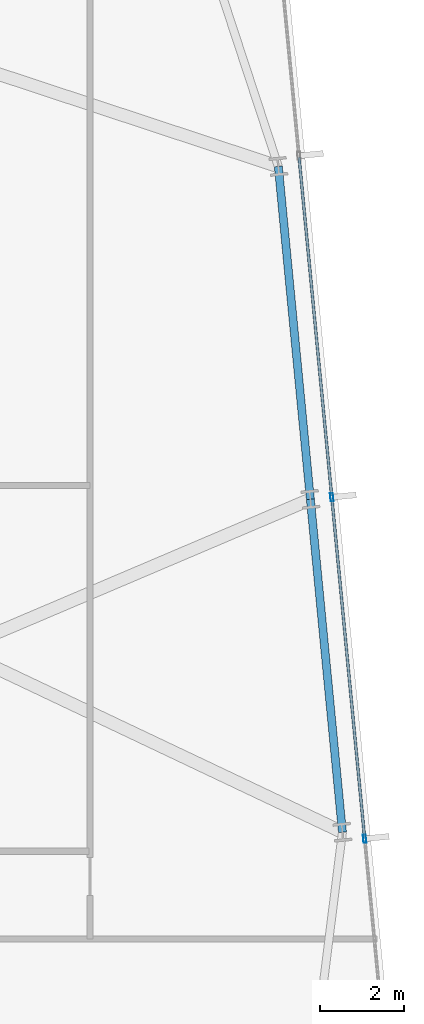
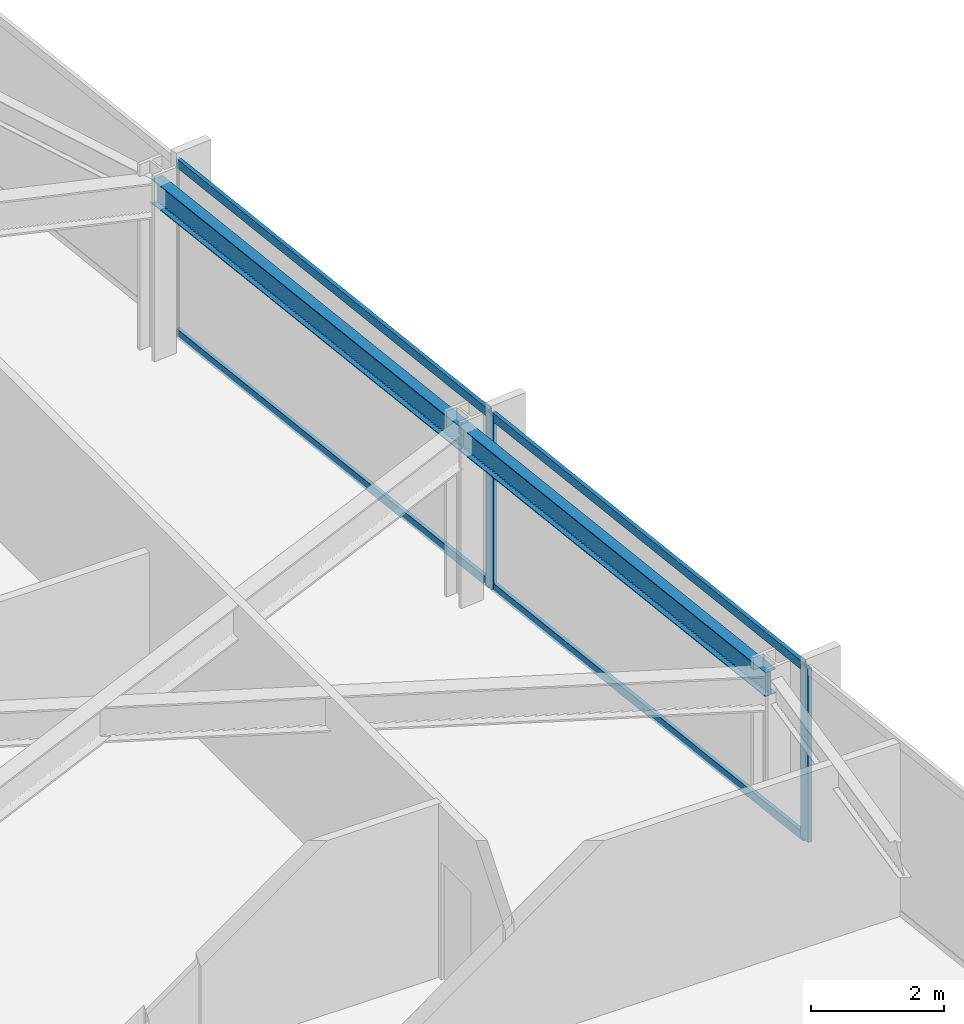
# One storey, part 16 of 32: 6 members, 2 beams, 1 element without a shape of its own.
"""IFC4 building model written with IfcOpenShell, lengths in metres."""

from ifc_helpers import new_model, si_unit, direction, frame, origin, origin_2d, place, context, subcontext, project, spatial, hollow_rectangle, i_section, extrude, material, material_profile, profile_set, type_object, element, aggregate, save


model = new_model("IFC4")

# Units and contexts
model_context = context("Model", 3, precision=1e-05, world=origin(), true_north=direction((0.0, 1.0)))
body_context = subcontext(model_context, "Body", "Model", "MODEL_VIEW")
ifc_project = project(units=[si_unit("LENGTHUNIT", "METRE"), si_unit("AREAUNIT", "SQUARE_METRE"), si_unit("VOLUMEUNIT", "CUBIC_METRE"), si_unit("PLANEANGLEUNIT", "RADIAN"), si_unit("MASSUNIT", "GRAM", prefix="KILO")], contexts=[model_context])

# Site, building, storey
site_placement = place(None, origin())
site = spatial("IfcSite", under=ifc_project, at=site_placement, CompositionType="ELEMENT")
building_placement = place(site_placement, origin())
building = spatial("IfcBuilding", under=site, at=building_placement, Name="Yelkora Congress Tower", CompositionType="ELEMENT")
storey_placement = place(building_placement, frame((0.0, 0.0, 96.5)))
storey = spatial("IfcBuildingStorey", under=building, at=storey_placement, Name="L25", CompositionType="ELEMENT", Elevation=96.5)

# Beams
ifc_material_1 = material(Name="Steel S355J2", Category="steel")
ifc_material_profile_1 = material_profile(ifc_material_1, i_section(OverallWidth=0.18994140625, OverallDepth=0.449951171875, WebThickness=0.009521484375, FlangeThickness=0.0146484375, FilletRadius=0.02099609375, at=origin_2d()), Name="IPE 450")
ifc_profile_set_1 = profile_set([ifc_material_profile_1], Name="Steel S355J2")
beam_type = type_object("IfcBeamType", Name="BM-SPAN-IPE450", PredefinedType="SPANDREL", material=ifc_profile_set_1)
beam_1_placement = place(storey_placement, frame((76.041259765625, 24.83349609375, 2.955078125), z_axis=(-0.095839787071, 0.995396772757, 0.0), x_axis=(-0.995396772757, -0.095839787071, 0.0)))
element("IfcBeam", 1, at=beam_1_placement, inside=storey, type_object=beam_type, Name="L25 Perimeter Beam 11", PredefinedType="SPANDREL", context=body_context, shape_type="SweptSolid", body=[
    extrude(i_section(OverallWidth=0.18994140625, OverallDepth=0.449951171875, WebThickness=0.009521484375, FlangeThickness=0.0146484375, FilletRadius=0.02099609375, at=origin_2d()), origin(), (0.0, 0.0, 1.0), 7.9248046875),
])
beam_2_placement = place(storey_placement, frame((75.28173828125, 32.721923828125, 2.955078125), z_axis=(-0.09583684824, 0.995397055712, 0.0), x_axis=(-0.995397055712, -0.09583684824, 0.0)))
element("IfcBeam", 2, at=beam_2_placement, inside=storey, type_object=beam_type, Name="L25 Perimeter Beam 12", PredefinedType="SPANDREL", context=body_context, shape_type="SweptSolid", body=[
    extrude(i_section(OverallWidth=0.18994140625, OverallDepth=0.449951171875, WebThickness=0.009521484375, FlangeThickness=0.0146484375, FilletRadius=0.02099609375, at=origin_2d()), origin(), (0.0, 0.0, 1.0), 7.925048828125),
])

# Curtain wall, members
ifc_material_2 = material(Name="Anodised aluminium and insulated glass", Category="aluminium")
curtain_wall_type = type_object("IfcCurtainWallType", Name="CW-SYS-B2", PredefinedType="NOTDEFINED", material=ifc_material_2)
curtain_wall_placement = place(storey_placement, origin())
curtain_wall = element("IfcCurtainWall", 3, at=curtain_wall_placement, inside=storey, type_object=curtain_wall_type, Name="L25 Unitised Curtain Wall 15", PredefinedType="NOTDEFINED")
ifc_material_3 = material(Name="Anodised aluminium 6063-T6", Category="aluminium")
ifc_material_profile_2 = material_profile(ifc_material_3, hollow_rectangle(XDim=0.070068359375, YDim=0.18994140625, WallThickness=0.00390625, at=origin_2d()), Name="ALU 70x190x4")
ifc_profile_set_2 = profile_set([ifc_material_profile_2], Name="Anodised aluminium 6063-T6")
member_type_1 = type_object("IfcMemberType", Name="MEM-ML-B2", PredefinedType="MULLION", material=ifc_profile_set_2)
member_1_placement = place(storey_placement, frame((75.789306640625, 32.770751953125, 0.0), z_axis=(0.0, 0.0, 1.0), x_axis=(0.995396507508, 0.095842541913, 0.0)))
member_1 = element("IfcMember", 4, at=member_1_placement, type_object=member_type_1, Name="CW-B2 mullion 3", PredefinedType="MULLION", context=body_context, shape_type="SweptSolid", body=[
    extrude(hollow_rectangle(XDim=0.070068359375, YDim=0.18994140625, WallThickness=0.00390625, at=origin_2d()), origin(), (0.0, 0.0, 1.0), 3.179931640625),
])
member_2_placement = place(storey_placement, frame((76.568603515625, 24.67822265625, 0.0), z_axis=(0.0, 0.0, 1.0), x_axis=(0.995396507508, 0.095842541913, 0.0)))
member_2 = element("IfcMember", 5, at=member_2_placement, type_object=member_type_1, Name="CW-B2 mullion 4", PredefinedType="MULLION", context=body_context, shape_type="SweptSolid", body=[
    extrude(hollow_rectangle(XDim=0.070068359375, YDim=0.18994140625, WallThickness=0.00390625, at=origin_2d()), origin(), (0.0, 0.0, 1.0), 3.179931640625),
])
ifc_material_profile_3 = material_profile(ifc_material_3, hollow_rectangle(XDim=0.06494140625, YDim=0.159912109375, WallThickness=0.00390625, at=origin_2d()), Name="ALU 65x160x4")
ifc_profile_set_3 = profile_set([ifc_material_profile_3], Name="Anodised aluminium 6063-T6")
member_type_2 = type_object("IfcMemberType", Name="MEM-TR-B2", PredefinedType="USERDEFINED", material=ifc_profile_set_3)
member_3_placement = place(storey_placement, frame((75.013427734375, 40.82861328125, 0.032470703125), z_axis=(0.095838228465, -0.995396922823, 0.0), x_axis=(0.995396922823, 0.095838228465, 0.0)))
member_3 = element("IfcMember", 6, at=member_3_placement, type_object=member_type_2, Name="CW-B2 transom 2.1", ObjectType="TRANSOM", PredefinedType="USERDEFINED", context=body_context, shape_type="SweptSolid", body=[
    extrude(hollow_rectangle(XDim=0.06494140625, YDim=0.159912109375, WallThickness=0.00390625, at=origin_2d()), origin(), (0.0, 0.0, 1.0), 8.06005859375),
])
member_4_placement = place(storey_placement, frame((75.013427734375, 40.82861328125, 3.1474609375), z_axis=(0.095838228465, -0.995396922823, 0.0), x_axis=(0.995396922823, 0.095838228465, 0.0)))
member_4 = element("IfcMember", 7, at=member_4_placement, type_object=member_type_2, Name="CW-B2 transom 2.2", ObjectType="TRANSOM", PredefinedType="USERDEFINED", context=body_context, shape_type="SweptSolid", body=[
    extrude(hollow_rectangle(XDim=0.06494140625, YDim=0.159912109375, WallThickness=0.00390625, at=origin_2d()), origin(), (0.0, 0.0, 1.0), 8.06005859375),
])
member_5_placement = place(storey_placement, frame((75.792724609375, 32.736083984375, 0.032470703125), z_axis=(0.095838228465, -0.995396922823, 0.0), x_axis=(0.995396922823, 0.095838228465, 0.0)))
member_5 = element("IfcMember", 8, at=member_5_placement, type_object=member_type_2, Name="CW-B2 transom 3.1", ObjectType="TRANSOM", PredefinedType="USERDEFINED", context=body_context, shape_type="SweptSolid", body=[
    extrude(hollow_rectangle(XDim=0.06494140625, YDim=0.159912109375, WallThickness=0.00390625, at=origin_2d()), origin(), (0.0, 0.0, 1.0), 8.06005859375),
])
member_6_placement = place(storey_placement, frame((75.792724609375, 32.736083984375, 3.1474609375), z_axis=(0.095838228465, -0.995396922823, 0.0), x_axis=(0.995396922823, 0.095838228465, 0.0)))
member_6 = element("IfcMember", 9, at=member_6_placement, type_object=member_type_2, Name="CW-B2 transom 3.2", ObjectType="TRANSOM", PredefinedType="USERDEFINED", context=body_context, shape_type="SweptSolid", body=[
    extrude(hollow_rectangle(XDim=0.06494140625, YDim=0.159912109375, WallThickness=0.00390625, at=origin_2d()), origin(), (0.0, 0.0, 1.0), 8.06005859375),
])
aggregate(curtain_wall, [member_1, member_2, member_3, member_4, member_5, member_6])

save(model, "model.ifc")
